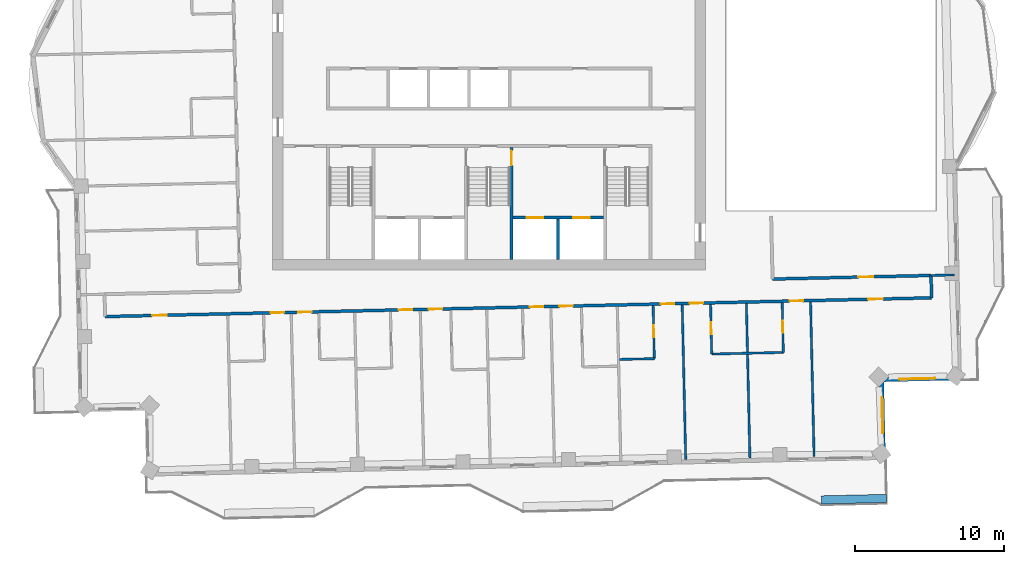
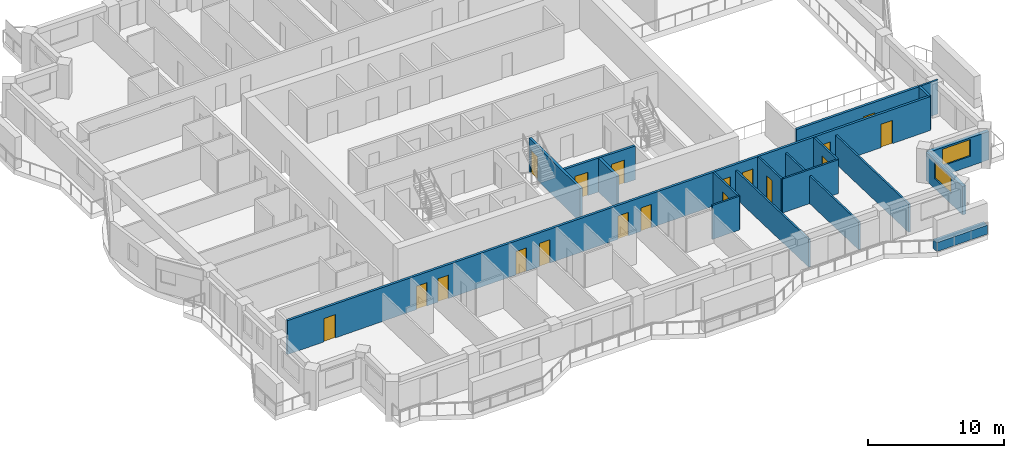
# One storey, part 10 of 18: 18 doors, 18 walls, 2 windows, 20 openings.
"""IFC4 building model written with IfcOpenShell, lengths in metres."""

from ifc_helpers import new_model, si_unit, direction, frame, frame_2d, origin, place, context, subcontext, project, spatial, rectangle, extrude, material, layer, layer_set, type_object, element, fill, save


model = new_model("IFC4")

# Units and contexts
model_context = context("Model", 3, precision=1e-05, world=origin(), true_north=direction((0.0, 1.0)))
body_context = subcontext(model_context, "Body", "Model", "MODEL_VIEW")
ifc_project = project(units=[si_unit("LENGTHUNIT", "METRE"), si_unit("AREAUNIT", "SQUARE_METRE"), si_unit("VOLUMEUNIT", "CUBIC_METRE"), si_unit("PLANEANGLEUNIT", "RADIAN"), si_unit("MASSUNIT", "GRAM", prefix="KILO")], contexts=[model_context])

# Site, building, storey
site_placement = place(None, origin())
site = spatial("IfcSite", under=ifc_project, at=site_placement, CompositionType="ELEMENT")
building_placement = place(site_placement, origin())
building = spatial("IfcBuilding", under=site, at=building_placement, Name="Mangrove Gate Tower", CompositionType="ELEMENT")
storey_placement = place(building_placement, frame((0.0, 0.0, 287.10009765625)))
storey = spatial("IfcBuildingStorey", under=building, at=storey_placement, Name="L73", CompositionType="ELEMENT", Elevation=287.10009765625)

# Wall, openings, doors
ifc_material_1 = material(Name="Concrete C50/60", Category="concrete")
ifc_layer_1 = layer(ifc_material_1, 0.199951171875)
ifc_layer_set_1 = layer_set([ifc_layer_1], Name="Core shaft wall 200 C50/60")
wall_type_1 = type_object("IfcWallType", Name="Core shaft wall 200 C50/60", PredefinedType="SHEAR", material=ifc_layer_set_1)
wall_1_placement = place(storey_placement, frame((1.60009765625, -8.0, 0.0), z_axis=(0.0, 0.0, 1.0), x_axis=(1.0, 0.0, 0.0)))
wall_1 = element("IfcWall", 1, at=wall_1_placement, inside=storey, type_object=wall_type_1, Name="WALL-L73-CORE-17", PredefinedType="SHEAR", context=body_context, shape_type="SweptSolid", body=[
    extrude(rectangle(XDim=6.0498046875, YDim=0.199951171875, at=frame_2d((3.02490234375, 0.0))), origin(), (0.0, 0.0, 1.0), 3.0498046875),
])
opening_1_placement = place(wall_1_placement, frame((0.91259765625, 0.0, 0.0)))
opening_1 = element("IfcOpeningElement", 2, at=opening_1_placement, cuts=wall_1, Name="Opening LD", PredefinedType="OPENING", context=body_context, shape_type="SweptSolid", body=[
    extrude(rectangle(XDim=1.10009765625, YDim=2.10009765625, at=frame_2d((0.550048828125, 1.050048828125))), frame((0.0, 0.10986328125, 0.0), z_axis=(0.0, -1.0, 0.0), x_axis=(1.0, 0.0, 0.0)), (0.0, 0.0, 1.0), 0.219970703125),
])
opening_2_placement = place(wall_1_placement, frame((4.03759765625, 0.0, 0.0)))
opening_2 = element("IfcOpeningElement", 3, at=opening_2_placement, cuts=wall_1, Name="Opening LD", PredefinedType="OPENING", context=body_context, shape_type="SweptSolid", body=[
    extrude(rectangle(XDim=1.10009765625, YDim=2.10009765625, at=frame_2d((0.550048828125, 1.050048828125))), frame((0.0, 0.10986328125, 0.0), z_axis=(0.0, -1.0, 0.0), x_axis=(1.0, 0.0, 0.0)), (0.0, 0.0, 1.0), 0.219970703125),
])
ifc_material_2 = material(Name="Stainless steel 316", Category="steel")
door_type_1 = type_object("IfcDoorType", Name="Lift landing door 1100x2100", OperationType="SLIDING_TO_LEFT", PredefinedType="DOOR", material=ifc_material_2)
door_1_placement = place(opening_1_placement, origin())
door_1 = element("IfcDoor", 4, at=door_1_placement, inside=storey, type_object=door_type_1, Name="Landing door LD FFL1", OperationType="SLIDING_TO_LEFT", OverallHeight=2.10009765625, OverallWidth=1.10009765625, PredefinedType="DOOR", context=body_context, shape_type="SweptSolid", body=[
    extrude(rectangle(XDim=1.10009765625, YDim=2.10009765625, at=frame_2d((0.550048828125, 1.050048828125))), frame((0.0, 0.02490234375, 0.0), z_axis=(0.0, -1.0, 0.0), x_axis=(1.0, 0.0, 0.0)), (0.0, 0.0, 1.0), 0.050048828125),
])
fill(opening_1, door_1)
door_2_placement = place(opening_2_placement, origin())
door_2 = element("IfcDoor", 5, at=door_2_placement, inside=storey, type_object=door_type_1, Name="Landing door LD FFL2", OperationType="SLIDING_TO_LEFT", OverallHeight=2.10009765625, OverallWidth=1.10009765625, PredefinedType="DOOR", context=body_context, shape_type="SweptSolid", body=[
    extrude(rectangle(XDim=1.10009765625, YDim=2.10009765625, at=frame_2d((0.550048828125, 1.050048828125))), frame((0.0, 0.02490234375, 0.0), z_axis=(0.0, -1.0, 0.0), x_axis=(1.0, 0.0, 0.0)), (0.0, 0.0, 1.0), 0.050048828125),
])
fill(opening_2, door_2)

# Wall
wall_2_placement = place(storey_placement, frame((4.625, -10.800048828125, 0.0), z_axis=(0.0, 0.0, 1.0), x_axis=(0.0, 1.0, 0.0)))
element("IfcWall", 6, at=wall_2_placement, inside=storey, type_object=wall_type_1, Name="WALL-L73-CORE-18", PredefinedType="SHEAR", context=body_context, shape_type="SweptSolid", body=[
    extrude(rectangle(XDim=2.699951171875, YDim=0.199951171875, at=frame_2d((1.35009765625, 0.0))), origin(), (0.0, 0.0, 1.0), 3.0498046875),
])

# Wall, opening, door
ifc_material_3 = material(Name="Concrete C50/60", Category="concrete")
ifc_layer_2 = layer(ifc_material_3, 0.199951171875)
ifc_layer_set_2 = layer_set([ifc_layer_2], Name="Core stair wall 200 C50/60")
wall_type_2 = type_object("IfcWallType", Name="Core stair wall 200 C50/60", PredefinedType="SHEAR", material=ifc_layer_set_2)
wall_3_placement = place(storey_placement, frame((1.5, -10.800048828125, 0.0), z_axis=(0.0, 0.0, 1.0), x_axis=(0.0, 1.0, 0.0)))
wall_3 = element("IfcWall", 7, at=wall_3_placement, inside=storey, type_object=wall_type_2, Name="WALL-L73-CORE-12", PredefinedType="SHEAR", context=body_context, shape_type="SweptSolid", body=[
    extrude(rectangle(XDim=7.5, YDim=0.199951171875, at=frame_2d((3.75, 0.0))), origin(), (0.0, 0.0, 1.0), 3.0498046875),
])
opening_3_placement = place(wall_3_placement, frame((6.300048828125, 0.0, 0.0)))
opening_3 = element("IfcOpeningElement", 8, at=opening_3_placement, cuts=wall_3, Name="Opening STD10", PredefinedType="OPENING", context=body_context, shape_type="SweptSolid", body=[
    extrude(rectangle(XDim=1.0, YDim=2.10009765625, at=frame_2d((0.5, 1.050048828125))), frame((0.0, 0.10986328125, 0.0), z_axis=(0.0, -1.0, 0.0), x_axis=(1.0, 0.0, 0.0)), (0.0, 0.0, 1.0), 0.219970703125),
])
ifc_material_4 = material(Name="Fire-rated steel door set", Category="steel")
door_type_2 = type_object("IfcDoorType", Name="Stair door FD60 1000x2100", OperationType="SINGLE_SWING_RIGHT", PredefinedType="DOOR", material=ifc_material_4)
door_3_placement = place(opening_3_placement, origin())
door_3 = element("IfcDoor", 9, at=door_3_placement, inside=storey, type_object=door_type_2, Name="Stair door Stair 2 from fire-fighting lobby", OperationType="SINGLE_SWING_RIGHT", OverallHeight=2.10009765625, OverallWidth=1.0, PredefinedType="DOOR", context=body_context, shape_type="SweptSolid", body=[
    extrude(rectangle(XDim=1.0, YDim=2.10009765625, at=frame_2d((0.5, 1.050048828125))), frame((0.0, 0.02490234375, 0.0), z_axis=(0.0, -1.0, 0.0), x_axis=(1.0, 0.0, 0.0)), (0.0, 0.0, 1.0), 0.050048828125),
])
fill(opening_3, door_3)

# Wall, openings, doors
ifc_material_5 = material(Name="Gypsum board on steel stud, EI 60", Category="steel")
ifc_layer_3 = layer(ifc_material_5, 0.199951171875)
ifc_layer_set_3 = layer_set([ifc_layer_3], Name="Corridor wall EI 60")
wall_type_3 = type_object("IfcWallType", Name="Corridor wall EI 60", PredefinedType="PARTITIONING", material=ifc_layer_set_3)
wall_4_placement = place(storey_placement, frame((-25.73095703125, -14.6240234375, 0.0), z_axis=(0.0, 0.0, 1.0), x_axis=(0.999742799525, 0.022678950563, 0.0)))
wall_4 = element("IfcWall", 10, at=wall_4_placement, inside=storey, type_object=wall_type_3, Name="WALL-L73-028", PredefinedType="PARTITIONING", context=body_context, shape_type="SweptSolid", body=[
    extrude(rectangle(XDim=55.38623046875, YDim=0.199951171875, at=frame_2d((27.693115234375, 0.0))), origin(), (0.0, 0.0, 1.0), 3.0498046875),
])
opening_4_placement = place(wall_4_placement, frame((3.14892578125, 0.0, 0.0)))
opening_4 = element("IfcOpeningElement", 11, at=opening_4_placement, cuts=wall_4, Name="Opening AD", PredefinedType="OPENING", context=body_context, shape_type="SweptSolid", body=[
    extrude(rectangle(XDim=1.0, YDim=2.10009765625, at=frame_2d((0.5, 1.050048828125))), frame((0.0, 0.10986328125, 0.0), z_axis=(0.0, -1.0, 0.0), x_axis=(1.0, 0.0, 0.0)), (0.0, 0.0, 1.0), 0.219970703125),
])
opening_5_placement = place(wall_4_placement, frame((11.10009765625, 0.0, 0.0)))
opening_5 = element("IfcOpeningElement", 12, at=opening_5_placement, cuts=wall_4, Name="Opening BD", PredefinedType="OPENING", context=body_context, shape_type="SweptSolid", body=[
    extrude(rectangle(XDim=0.89990234375, YDim=2.10009765625, at=frame_2d((0.449951171875, 1.050048828125))), frame((0.0, 0.10986328125, 0.0), z_axis=(0.0, -1.0, 0.0), x_axis=(1.0, 0.0, 0.0)), (0.0, 0.0, 1.0), 0.219970703125),
])
opening_6_placement = place(wall_4_placement, frame((12.949951171875, 0.0, 0.0)))
opening_6 = element("IfcOpeningElement", 13, at=opening_6_placement, cuts=wall_4, Name="Opening BD", PredefinedType="OPENING", context=body_context, shape_type="SweptSolid", body=[
    extrude(rectangle(XDim=0.89990234375, YDim=2.10009765625, at=frame_2d((0.449951171875, 1.050048828125))), frame((0.0, 0.10986328125, 0.0), z_axis=(0.0, -1.0, 0.0), x_axis=(1.0, 0.0, 0.0)), (0.0, 0.0, 1.0), 0.219970703125),
])
opening_7_placement = place(wall_4_placement, frame((19.675048828125, 0.0, 0.0)))
opening_7 = element("IfcOpeningElement", 14, at=opening_7_placement, cuts=wall_4, Name="Opening BD", PredefinedType="OPENING", context=body_context, shape_type="SweptSolid", body=[
    extrude(rectangle(XDim=0.89990234375, YDim=2.10009765625, at=frame_2d((0.449951171875, 1.050048828125))), frame((0.0, 0.10986328125, 0.0), z_axis=(0.0, -1.0, 0.0), x_axis=(1.0, 0.0, 0.0)), (0.0, 0.0, 1.0), 0.219970703125),
])
opening_8_placement = place(wall_4_placement, frame((21.699951171875, 0.0, 0.0)))
opening_8 = element("IfcOpeningElement", 15, at=opening_8_placement, cuts=wall_4, Name="Opening BD", PredefinedType="OPENING", context=body_context, shape_type="SweptSolid", body=[
    extrude(rectangle(XDim=0.89990234375, YDim=2.10009765625, at=frame_2d((0.449951171875, 1.050048828125))), frame((0.0, 0.10986328125, 0.0), z_axis=(0.0, -1.0, 0.0), x_axis=(1.0, 0.0, 0.0)), (0.0, 0.0, 1.0), 0.219970703125),
])
opening_9_placement = place(wall_4_placement, frame((28.47509765625, 0.0, 0.0)))
opening_9 = element("IfcOpeningElement", 16, at=opening_9_placement, cuts=wall_4, Name="Opening BD", PredefinedType="OPENING", context=body_context, shape_type="SweptSolid", body=[
    extrude(rectangle(XDim=0.89990234375, YDim=2.10009765625, at=frame_2d((0.449951171875, 1.050048828125))), frame((0.0, 0.10986328125, 0.0), z_axis=(0.0, -1.0, 0.0), x_axis=(1.0, 0.0, 0.0)), (0.0, 0.0, 1.0), 0.219970703125),
])
opening_10_placement = place(wall_4_placement, frame((30.449951171875, 0.0, 0.0)))
opening_10 = element("IfcOpeningElement", 17, at=opening_10_placement, cuts=wall_4, Name="Opening BD", PredefinedType="OPENING", context=body_context, shape_type="SweptSolid", body=[
    extrude(rectangle(XDim=0.89990234375, YDim=2.10009765625, at=frame_2d((0.449951171875, 1.050048828125))), frame((0.0, 0.10986328125, 0.0), z_axis=(0.0, -1.0, 0.0), x_axis=(1.0, 0.0, 0.0)), (0.0, 0.0, 1.0), 0.219970703125),
])
opening_11_placement = place(wall_4_placement, frame((37.25, 0.0, 0.0)))
opening_11 = element("IfcOpeningElement", 18, at=opening_11_placement, cuts=wall_4, Name="Opening BD", PredefinedType="OPENING", context=body_context, shape_type="SweptSolid", body=[
    extrude(rectangle(XDim=0.89990234375, YDim=2.10009765625, at=frame_2d((0.449951171875, 1.050048828125))), frame((0.0, 0.10986328125, 0.0), z_axis=(0.0, -1.0, 0.0), x_axis=(1.0, 0.0, 0.0)), (0.0, 0.0, 1.0), 0.219970703125),
])
opening_12_placement = place(wall_4_placement, frame((39.175048828125, 0.0, 0.0)))
opening_12 = element("IfcOpeningElement", 19, at=opening_12_placement, cuts=wall_4, Name="Opening BD", PredefinedType="OPENING", context=body_context, shape_type="SweptSolid", body=[
    extrude(rectangle(XDim=0.89990234375, YDim=2.10009765625, at=frame_2d((0.449951171875, 1.050048828125))), frame((0.0, 0.10986328125, 0.0), z_axis=(0.0, -1.0, 0.0), x_axis=(1.0, 0.0, 0.0)), (0.0, 0.0, 1.0), 0.219970703125),
])
opening_13_placement = place(wall_4_placement, frame((45.875, 0.0, 0.0)))
opening_13 = element("IfcOpeningElement", 20, at=opening_13_placement, cuts=wall_4, Name="Opening BD", PredefinedType="OPENING", context=body_context, shape_type="SweptSolid", body=[
    extrude(rectangle(XDim=0.89990234375, YDim=2.10009765625, at=frame_2d((0.449951171875, 1.050048828125))), frame((0.0, 0.10986328125, 0.0), z_axis=(0.0, -1.0, 0.0), x_axis=(1.0, 0.0, 0.0)), (0.0, 0.0, 1.0), 0.219970703125),
])
opening_14_placement = place(wall_4_placement, frame((51.126953125, 0.0, 0.0)))
opening_14 = element("IfcOpeningElement", 21, at=opening_14_placement, cuts=wall_4, Name="Opening AD", PredefinedType="OPENING", context=body_context, shape_type="SweptSolid", body=[
    extrude(rectangle(XDim=1.0, YDim=2.10009765625, at=frame_2d((0.5, 1.050048828125))), frame((0.0, 0.10986328125, 0.0), z_axis=(0.0, -1.0, 0.0), x_axis=(1.0, 0.0, 0.0)), (0.0, 0.0, 1.0), 0.219970703125),
])
ifc_material_6 = material(Name="Timber door leaf", Category="wood")
door_type_3 = type_object("IfcDoorType", Name="Amenity door 1000", OperationType="SINGLE_SWING_LEFT", PredefinedType="DOOR", material=ifc_material_6)
door_4_placement = place(opening_4_placement, origin())
door_4 = element("IfcDoor", 22, at=door_4_placement, inside=storey, type_object=door_type_3, Name="DOOR-L73-LNG-c1a", OperationType="SINGLE_SWING_LEFT", OverallHeight=2.10009765625, OverallWidth=1.0, PredefinedType="DOOR", context=body_context, shape_type="SweptSolid", body=[
    extrude(rectangle(XDim=1.0, YDim=2.10009765625, at=frame_2d((0.5, 1.050048828125))), frame((0.0, 0.02490234375, 0.0), z_axis=(0.0, -1.0, 0.0), x_axis=(1.0, 0.0, 0.0)), (0.0, 0.0, 1.0), 0.050048828125),
])
fill(opening_4, door_4)
door_5_placement = place(opening_14_placement, origin())
door_5 = element("IfcDoor", 23, at=door_5_placement, inside=storey, type_object=door_type_3, Name="DOOR-L73-LNG-c3a", OperationType="SINGLE_SWING_RIGHT", OverallHeight=2.10009765625, OverallWidth=1.0, PredefinedType="DOOR", context=body_context, shape_type="SweptSolid", body=[
    extrude(rectangle(XDim=1.0, YDim=2.10009765625, at=frame_2d((0.5, 1.050048828125))), frame((0.0, 0.02490234375, 0.0), z_axis=(0.0, -1.0, 0.0), x_axis=(1.0, 0.0, 0.0)), (0.0, 0.0, 1.0), 0.050048828125),
])
fill(opening_14, door_5)
ifc_material_7 = material(Name="Timber door leaf", Category="wood")
door_type_4 = type_object("IfcDoorType", Name="Bedroom door 900", OperationType="SINGLE_SWING_LEFT", PredefinedType="DOOR", material=ifc_material_7)
door_6_placement = place(opening_5_placement, origin())
door_6 = element("IfcDoor", 24, at=door_6_placement, inside=storey, type_object=door_type_4, Name="DOOR-L73-BED-c101", OperationType="SINGLE_SWING_LEFT", OverallHeight=2.10009765625, OverallWidth=0.89990234375, PredefinedType="DOOR", context=body_context, shape_type="SweptSolid", body=[
    extrude(rectangle(XDim=0.89990234375, YDim=2.10009765625, at=frame_2d((0.449951171875, 1.050048828125))), frame((0.0, 0.02490234375, 0.0), z_axis=(0.0, -1.0, 0.0), x_axis=(1.0, 0.0, 0.0)), (0.0, 0.0, 1.0), 0.050048828125),
])
fill(opening_5, door_6)
door_7_placement = place(opening_6_placement, origin())
door_7 = element("IfcDoor", 25, at=door_7_placement, inside=storey, type_object=door_type_4, Name="DOOR-L73-BED-c102", OperationType="SINGLE_SWING_RIGHT", OverallHeight=2.10009765625, OverallWidth=0.89990234375, PredefinedType="DOOR", context=body_context, shape_type="SweptSolid", body=[
    extrude(rectangle(XDim=0.89990234375, YDim=2.10009765625, at=frame_2d((0.449951171875, 1.050048828125))), frame((0.0, 0.02490234375, 0.0), z_axis=(0.0, -1.0, 0.0), x_axis=(1.0, 0.0, 0.0)), (0.0, 0.0, 1.0), 0.050048828125),
])
fill(opening_6, door_7)
door_8_placement = place(opening_7_placement, origin())
door_8 = element("IfcDoor", 26, at=door_8_placement, inside=storey, type_object=door_type_4, Name="DOOR-L73-BED-c103", OperationType="SINGLE_SWING_LEFT", OverallHeight=2.10009765625, OverallWidth=0.89990234375, PredefinedType="DOOR", context=body_context, shape_type="SweptSolid", body=[
    extrude(rectangle(XDim=0.89990234375, YDim=2.10009765625, at=frame_2d((0.449951171875, 1.050048828125))), frame((0.0, 0.02490234375, 0.0), z_axis=(0.0, -1.0, 0.0), x_axis=(1.0, 0.0, 0.0)), (0.0, 0.0, 1.0), 0.050048828125),
])
fill(opening_7, door_8)
door_9_placement = place(opening_8_placement, origin())
door_9 = element("IfcDoor", 27, at=door_9_placement, inside=storey, type_object=door_type_4, Name="DOOR-L73-BED-c104", OperationType="SINGLE_SWING_RIGHT", OverallHeight=2.10009765625, OverallWidth=0.89990234375, PredefinedType="DOOR", context=body_context, shape_type="SweptSolid", body=[
    extrude(rectangle(XDim=0.89990234375, YDim=2.10009765625, at=frame_2d((0.449951171875, 1.050048828125))), frame((0.0, 0.02490234375, 0.0), z_axis=(0.0, -1.0, 0.0), x_axis=(1.0, 0.0, 0.0)), (0.0, 0.0, 1.0), 0.050048828125),
])
fill(opening_8, door_9)
door_10_placement = place(opening_9_placement, origin())
door_10 = element("IfcDoor", 28, at=door_10_placement, inside=storey, type_object=door_type_4, Name="DOOR-L73-BED-c205", OperationType="SINGLE_SWING_LEFT", OverallHeight=2.10009765625, OverallWidth=0.89990234375, PredefinedType="DOOR", context=body_context, shape_type="SweptSolid", body=[
    extrude(rectangle(XDim=0.89990234375, YDim=2.10009765625, at=frame_2d((0.449951171875, 1.050048828125))), frame((0.0, 0.02490234375, 0.0), z_axis=(0.0, -1.0, 0.0), x_axis=(1.0, 0.0, 0.0)), (0.0, 0.0, 1.0), 0.050048828125),
])
fill(opening_9, door_10)
door_11_placement = place(opening_10_placement, origin())
door_11 = element("IfcDoor", 29, at=door_11_placement, inside=storey, type_object=door_type_4, Name="DOOR-L73-BED-c206", OperationType="SINGLE_SWING_RIGHT", OverallHeight=2.10009765625, OverallWidth=0.89990234375, PredefinedType="DOOR", context=body_context, shape_type="SweptSolid", body=[
    extrude(rectangle(XDim=0.89990234375, YDim=2.10009765625, at=frame_2d((0.449951171875, 1.050048828125))), frame((0.0, 0.02490234375, 0.0), z_axis=(0.0, -1.0, 0.0), x_axis=(1.0, 0.0, 0.0)), (0.0, 0.0, 1.0), 0.050048828125),
])
fill(opening_10, door_11)
door_12_placement = place(opening_11_placement, origin())
door_12 = element("IfcDoor", 30, at=door_12_placement, inside=storey, type_object=door_type_4, Name="DOOR-L73-BED-c207", OperationType="SINGLE_SWING_LEFT", OverallHeight=2.10009765625, OverallWidth=0.89990234375, PredefinedType="DOOR", context=body_context, shape_type="SweptSolid", body=[
    extrude(rectangle(XDim=0.89990234375, YDim=2.10009765625, at=frame_2d((0.449951171875, 1.050048828125))), frame((0.0, 0.02490234375, 0.0), z_axis=(0.0, -1.0, 0.0), x_axis=(1.0, 0.0, 0.0)), (0.0, 0.0, 1.0), 0.050048828125),
])
fill(opening_11, door_12)
door_13_placement = place(opening_12_placement, origin())
door_13 = element("IfcDoor", 31, at=door_13_placement, inside=storey, type_object=door_type_4, Name="DOOR-L73-BED-c208", OperationType="SINGLE_SWING_RIGHT", OverallHeight=2.10009765625, OverallWidth=0.89990234375, PredefinedType="DOOR", context=body_context, shape_type="SweptSolid", body=[
    extrude(rectangle(XDim=0.89990234375, YDim=2.10009765625, at=frame_2d((0.449951171875, 1.050048828125))), frame((0.0, 0.02490234375, 0.0), z_axis=(0.0, -1.0, 0.0), x_axis=(1.0, 0.0, 0.0)), (0.0, 0.0, 1.0), 0.050048828125),
])
fill(opening_12, door_13)
door_14_placement = place(opening_13_placement, origin())
door_14 = element("IfcDoor", 32, at=door_14_placement, inside=storey, type_object=door_type_4, Name="DOOR-L73-BED-c309", OperationType="SINGLE_SWING_LEFT", OverallHeight=2.10009765625, OverallWidth=0.89990234375, PredefinedType="DOOR", context=body_context, shape_type="SweptSolid", body=[
    extrude(rectangle(XDim=0.89990234375, YDim=2.10009765625, at=frame_2d((0.449951171875, 1.050048828125))), frame((0.0, 0.02490234375, 0.0), z_axis=(0.0, -1.0, 0.0), x_axis=(1.0, 0.0, 0.0)), (0.0, 0.0, 1.0), 0.050048828125),
])
fill(opening_13, door_14)

# Wall
wall_5_placement = place(storey_placement, frame((29.637939453125, -13.367919921875, 0.0), z_axis=(0.0, 0.0, 1.0), x_axis=(-0.022617910375, 0.999744182344, 0.0)))
element("IfcWall", 33, at=wall_5_placement, inside=storey, type_object=wall_type_3, Name="WALL-L73-030", PredefinedType="PARTITIONING", context=body_context, shape_type="SweptSolid", body=[
    extrude(rectangle(XDim=1.50048828125, YDim=0.199951171875, at=frame_2d((0.750244140625, 0.0))), origin(), (0.0, 0.0, 1.0), 3.0498046875),
])

# Wall, opening, door
wall_6_placement = place(storey_placement, frame((18.985107421875, -12.10888671875, 0.0), z_axis=(0.0, 0.0, 1.0), x_axis=(0.999742771882, 0.022680169073, 0.0)))
wall_6 = element("IfcWall", 34, at=wall_6_placement, inside=storey, type_object=wall_type_3, Name="WALL-L73-034", PredefinedType="PARTITIONING", context=body_context, shape_type="SweptSolid", body=[
    extrude(rectangle(XDim=10.62451171875, YDim=0.199951171875, at=frame_2d((5.312255859375, 0.0))), origin(), (0.0, 0.0, 1.0), 3.0498046875),
])
opening_15_placement = place(wall_6_placement, frame((5.75, 0.0, 0.0)))
opening_15 = element("IfcOpeningElement", 35, at=opening_15_placement, cuts=wall_6, Name="Opening AD", PredefinedType="OPENING", context=body_context, shape_type="SweptSolid", body=[
    extrude(rectangle(XDim=1.0, YDim=2.10009765625, at=frame_2d((0.5, 1.050048828125))), frame((0.0, 0.10986328125, 0.0), z_axis=(0.0, -1.0, 0.0), x_axis=(1.0, 0.0, 0.0)), (0.0, 0.0, 1.0), 0.219970703125),
])
door_15_placement = place(opening_15_placement, origin())
door_15 = element("IfcDoor", 36, at=door_15_placement, inside=storey, type_object=door_type_3, Name="DOOR-L73-LNG-c3b", OperationType="SINGLE_SWING_LEFT", OverallHeight=2.10009765625, OverallWidth=1.0, PredefinedType="DOOR", context=body_context, shape_type="SweptSolid", body=[
    extrude(rectangle(XDim=1.0, YDim=2.10009765625, at=frame_2d((0.5, 1.050048828125))), frame((0.0, 0.02490234375, 0.0), z_axis=(0.0, -1.0, 0.0), x_axis=(1.0, 0.0, 0.0)), (0.0, 0.0, 1.0), 0.050048828125),
])
fill(opening_15, door_15)

# Wall, opening, window
ifc_material_8 = material(Name="Limestone", Category="masonry")
ifc_layer_4 = layer(ifc_material_8, 0.0400390625, Name="Limestone cladding")
ifc_material_9 = material(Name="Ventilated air gap")
ifc_layer_5 = layer(ifc_material_9, 0.0400390625, Name="Ventilated cavity")
ifc_material_10 = material(Name="Mineral wool insulation")
ifc_layer_6 = layer(ifc_material_10, 0.06005859375, Name="Insulation")
ifc_material_11 = material(Name="Breather membrane")
ifc_layer_7 = layer(ifc_material_11, 0.001953125, Name="Breather membrane")
ifc_material_12 = material(Name="Concrete C20/25 blockwork", Category="masonry")
ifc_layer_8 = layer(ifc_material_12, 0.14990234375, Name="Blockwork backing wall")
ifc_material_13 = material(Name="Gypsum plaster")
ifc_layer_9 = layer(ifc_material_13, 0.008056640625, Name="Internal plaster")
ifc_layer_set_4 = layer_set([ifc_layer_4, ifc_layer_5, ifc_layer_6, ifc_layer_7, ifc_layer_8, ifc_layer_9], Name="External wall 300 limestone cladding")
wall_type_4 = type_object("IfcWallType", Name="External wall 300 limestone cladding", PredefinedType="SOLIDWALL", material=ifc_layer_set_4)
wall_7_placement = place(storey_placement, frame((26.406982421875, -24.0439453125, 0.0), z_axis=(0.0, 0.0, 1.0), x_axis=(-0.022675548694, 0.99974287669, 0.0)))
wall_7 = element("IfcWall", 37, at=wall_7_placement, inside=storey, type_object=wall_type_4, Name="WALL-L73-E14", PredefinedType="SOLIDWALL", context=body_context, shape_type="SweptSolid", body=[
    extrude(rectangle(XDim=5.2001953125, YDim=0.300048828125, at=frame_2d((2.60009765625, 0.0))), origin(), (0.0, 0.0, 1.0), 2.5498046875),
])
opening_16_placement = place(wall_7_placement, frame((1.60498046875, 0.0, 0.89990234375)))
opening_16 = element("IfcOpeningElement", 38, at=opening_16_placement, cuts=wall_7, Name="Opening W2", PredefinedType="OPENING", context=body_context, shape_type="SweptSolid", body=[
    extrude(rectangle(XDim=2.39990234375, YDim=1.5, at=frame_2d((1.199951171875, 0.75))), frame((0.0, 0.159912109375, 0.0), z_axis=(0.0, -1.0, 0.0), x_axis=(1.0, 0.0, 0.0)), (0.0, 0.0, 1.0), 0.320068359375),
])
ifc_material_14 = material(Name="Aluminium frame with double-glazed low-e glass", Category="aluminium")
window_type = type_object("IfcWindowType", Name="Corner room window 2400x1500", PartitioningType="DOUBLE_PANEL_VERTICAL", PredefinedType="WINDOW", material=ifc_material_14)
window_1_placement = place(opening_16_placement, origin())
window_1 = element("IfcWindow", 39, at=window_1_placement, inside=storey, type_object=window_type, Name="WIN-L73-E14-1", OverallHeight=1.5, OverallWidth=2.39990234375, PartitioningType="DOUBLE_PANEL_VERTICAL", PredefinedType="WINDOW", context=body_context, shape_type="SweptSolid", body=[
    extrude(rectangle(XDim=2.39990234375, YDim=1.5, at=frame_2d((1.199951171875, 0.75))), frame((0.0, 0.030029296875, 0.0), z_axis=(0.0, -1.0, 0.0), x_axis=(1.0, 0.0, 0.0)), (0.0, 0.0, 1.0), 0.06005859375),
])
fill(opening_16, window_1)

wall_8_placement = place(storey_placement, frame((26.2890625, -18.844970703125, 0.0), z_axis=(0.0, 0.0, 1.0), x_axis=(0.99974287669, 0.022675548694, 0.0)))
wall_8 = element("IfcWall", 40, at=wall_8_placement, inside=storey, type_object=wall_type_4, Name="WALL-L73-S15", PredefinedType="SOLIDWALL", context=body_context, shape_type="SweptSolid", body=[
    extrude(rectangle(XDim=5.2001953125, YDim=0.300048828125, at=frame_2d((2.60009765625, 0.0))), origin(), (0.0, 0.0, 1.0), 2.5498046875),
])
opening_17_placement = place(wall_8_placement, frame((1.194091796875, 0.0, 0.89990234375)))
opening_17 = element("IfcOpeningElement", 41, at=opening_17_placement, cuts=wall_8, Name="Opening W2", PredefinedType="OPENING", context=body_context, shape_type="SweptSolid", body=[
    extrude(rectangle(XDim=2.39990234375, YDim=1.5, at=frame_2d((1.199951171875, 0.75))), frame((0.0, 0.159912109375, 0.0), z_axis=(0.0, -1.0, 0.0), x_axis=(1.0, 0.0, 0.0)), (0.0, 0.0, 1.0), 0.320068359375),
])
window_2_placement = place(opening_17_placement, origin())
window_2 = element("IfcWindow", 42, at=window_2_placement, inside=storey, type_object=window_type, Name="WIN-L73-S15-1", OverallHeight=1.5, OverallWidth=2.39990234375, PartitioningType="DOUBLE_PANEL_VERTICAL", PredefinedType="WINDOW", context=body_context, shape_type="SweptSolid", body=[
    extrude(rectangle(XDim=2.39990234375, YDim=1.5, at=frame_2d((1.199951171875, 0.75))), frame((0.0, 0.030029296875, 0.0), z_axis=(0.0, -1.0, 0.0), x_axis=(1.0, 0.0, 0.0)), (0.0, 0.0, 1.0), 0.06005859375),
])
fill(opening_17, window_2)

# Walls
ifc_material_15 = material(Name="Gypsum board on steel stud, EI 60", Category="steel")
ifc_layer_10 = layer(ifc_material_15, 0.14990234375)
ifc_layer_set_5 = layer_set([ifc_layer_10], Name="Party wall 150 EI 60")
wall_type_5 = type_object("IfcWallType", Name="Party wall 150 EI 60", PredefinedType="PARTITIONING", material=ifc_layer_set_5)
wall_9_placement = place(storey_placement, frame((13.1689453125, -24.194091796875, 0.0), z_axis=(0.0, 0.0, 1.0), x_axis=(-0.022692470342, 0.99974249274, 0.0)))
element("IfcWall", 43, at=wall_9_placement, inside=storey, type_object=wall_type_5, Name="WALL-L73-008", PredefinedType="PARTITIONING", context=body_context, shape_type="SweptSolid", body=[
    extrude(rectangle(XDim=10.349853515625, YDim=0.14990234375, at=frame_2d((5.1748046875, 0.0))), origin(), (0.0, 0.0, 1.0), 2.5),
])
wall_10_placement = place(storey_placement, frame((17.468017578125, -24.096923828125, 0.0), z_axis=(0.0, 0.0, 1.0), x_axis=(-0.022714440015, 0.999741993824, 0.0)))
element("IfcWall", 44, at=wall_10_placement, inside=storey, type_object=wall_type_5, Name="WALL-L73-009", PredefinedType="PARTITIONING", context=body_context, shape_type="SweptSolid", body=[
    extrude(rectangle(XDim=10.3505859375, YDim=0.14990234375, at=frame_2d((5.17529296875, 0.0))), origin(), (0.0, 0.0, 1.0), 2.5),
])
wall_11_placement = place(storey_placement, frame((21.76708984375, -23.9990234375, 0.0), z_axis=(0.0, 0.0, 1.0), x_axis=(-0.022716582742, 0.999741945138, 0.0)))
element("IfcWall", 45, at=wall_11_placement, inside=storey, type_object=wall_type_5, Name="WALL-L73-010", PredefinedType="PARTITIONING", context=body_context, shape_type="SweptSolid", body=[
    extrude(rectangle(XDim=10.349609375, YDim=0.14990234375, at=frame_2d((5.1748046875, 0.0))), origin(), (0.0, 0.0, 1.0), 2.5498046875),
])
wall_12_placement = place(storey_placement, frame((8.742919921875, -17.492919921875, 0.0), z_axis=(0.0, 0.0, 1.0), x_axis=(0.99974053329, 0.022778632478, 0.0)))
element("IfcWall", 46, at=wall_12_placement, inside=storey, type_object=wall_type_5, Name="WALL-L73-017", PredefinedType="PARTITIONING", context=body_context, shape_type="SweptSolid", body=[
    extrude(rectangle(XDim=2.32568359375, YDim=0.14990234375, at=frame_2d((1.162841796875, 0.0))), origin(), (0.0, 0.0, 1.0), 3.0498046875),
])

# Wall, opening, door
wall_13_placement = place(storey_placement, frame((11.06591796875, -17.43994140625, 0.0), z_axis=(0.0, 0.0, 1.0), x_axis=(-0.022765149847, 0.999740840394, 0.0)))
wall_13 = element("IfcWall", 47, at=wall_13_placement, inside=storey, type_object=wall_type_5, Name="WALL-L73-018", PredefinedType="PARTITIONING", context=body_context, shape_type="SweptSolid", body=[
    extrude(rectangle(XDim=3.5498046875, YDim=0.14990234375, at=frame_2d((1.77490234375, 0.0))), origin(), (0.0, 0.0, 1.0), 3.0498046875),
])
opening_18_placement = place(wall_13_placement, frame((1.425048828125, 0.0, 0.0)))
opening_18 = element("IfcOpeningElement", 48, at=opening_18_placement, cuts=wall_13, Name="Opening ED", PredefinedType="OPENING", context=body_context, shape_type="SweptSolid", body=[
    extrude(rectangle(XDim=0.800048828125, YDim=2.10009765625, at=frame_2d((0.39990234375, 1.050048828125))), frame((0.0, 0.0849609375, 0.0), z_axis=(0.0, -1.0, 0.0), x_axis=(1.0, 0.0, 0.0)), (0.0, 0.0, 1.0), 0.169921875),
])
ifc_material_16 = material(Name="Timber door leaf", Category="wood")
door_type_5 = type_object("IfcDoorType", Name="En-suite door 800", OperationType="SINGLE_SWING_LEFT", PredefinedType="DOOR", material=ifc_material_16)
door_16_placement = place(opening_18_placement, origin())
door_16 = element("IfcDoor", 49, at=door_16_placement, inside=storey, type_object=door_type_5, Name="DOOR-L73-ENS-c207", OperationType="SINGLE_SWING_LEFT", OverallHeight=2.10009765625, OverallWidth=0.800048828125, PredefinedType="DOOR", context=body_context, shape_type="SweptSolid", body=[
    extrude(rectangle(XDim=0.800048828125, YDim=2.10009765625, at=frame_2d((0.39990234375, 1.050048828125))), frame((0.0, 0.02490234375, 0.0), z_axis=(0.0, -1.0, 0.0), x_axis=(1.0, 0.0, 0.0)), (0.0, 0.0, 1.0), 0.050048828125),
])
fill(opening_18, door_16)

wall_14_placement = place(storey_placement, frame((14.909912109375, -17.133056640625, 0.0), z_axis=(0.0, 0.0, 1.0), x_axis=(-0.022801345323, 0.99974001553, 0.0)))
wall_14 = element("IfcWall", 50, at=wall_14_placement, inside=storey, type_object=wall_type_5, Name="WALL-L73-021", PredefinedType="PARTITIONING", context=body_context, shape_type="SweptSolid", body=[
    extrude(rectangle(XDim=3.330078125, YDim=0.14990234375, at=frame_2d((1.6650390625, 0.0))), origin(), (0.0, 0.0, 1.0), 3.0498046875),
])
opening_19_placement = place(wall_14_placement, frame((1.31494140625, 0.0, 0.0)))
opening_19 = element("IfcOpeningElement", 51, at=opening_19_placement, cuts=wall_14, Name="Opening ED", PredefinedType="OPENING", context=body_context, shape_type="SweptSolid", body=[
    extrude(rectangle(XDim=0.800048828125, YDim=2.10009765625, at=frame_2d((0.39990234375, 1.050048828125))), frame((0.0, 0.0849609375, 0.0), z_axis=(0.0, -1.0, 0.0), x_axis=(1.0, 0.0, 0.0)), (0.0, 0.0, 1.0), 0.169921875),
])
door_17_placement = place(opening_19_placement, origin())
door_17 = element("IfcDoor", 52, at=door_17_placement, inside=storey, type_object=door_type_5, Name="DOOR-L73-ENS-c208", OperationType="SINGLE_SWING_RIGHT", OverallHeight=2.10009765625, OverallWidth=0.800048828125, PredefinedType="DOOR", context=body_context, shape_type="SweptSolid", body=[
    extrude(rectangle(XDim=0.800048828125, YDim=2.10009765625, at=frame_2d((0.39990234375, 1.050048828125))), frame((0.0, 0.02490234375, 0.0), z_axis=(0.0, -1.0, 0.0), x_axis=(1.0, 0.0, 0.0)), (0.0, 0.0, 1.0), 0.050048828125),
])
fill(opening_19, door_17)

# Wall
wall_15_placement = place(storey_placement, frame((14.912109375, -17.133056640625, 0.0), z_axis=(0.0, 0.0, 1.0), x_axis=(0.999741415159, 0.022739894798, 0.0)))
element("IfcWall", 53, at=wall_15_placement, inside=storey, type_object=wall_type_5, Name="WALL-L73-022", PredefinedType="PARTITIONING", context=body_context, shape_type="SweptSolid", body=[
    extrude(rectangle(XDim=4.799072265625, YDim=0.14990234375, at=frame_2d((2.3994140625, 0.0))), origin(), (0.0, 0.0, 1.0), 3.0498046875),
])

# Wall, opening, door
wall_16_placement = place(storey_placement, frame((19.7080078125, -17.02392578125, 0.0), z_axis=(0.0, 0.0, 1.0), x_axis=(-0.022509879905, 0.999746620553, 0.0)))
wall_16 = element("IfcWall", 54, at=wall_16_placement, inside=storey, type_object=wall_type_5, Name="WALL-L73-023", PredefinedType="PARTITIONING", context=body_context, shape_type="SweptSolid", body=[
    extrude(rectangle(XDim=3.32958984375, YDim=0.14990234375, at=frame_2d((1.664794921875, 0.0))), origin(), (0.0, 0.0, 1.0), 3.0498046875),
])
opening_20_placement = place(wall_16_placement, frame((1.31494140625, 0.0, 0.0)))
opening_20 = element("IfcOpeningElement", 55, at=opening_20_placement, cuts=wall_16, Name="Opening ED", PredefinedType="OPENING", context=body_context, shape_type="SweptSolid", body=[
    extrude(rectangle(XDim=0.800048828125, YDim=2.10009765625, at=frame_2d((0.39990234375, 1.050048828125))), frame((0.0, 0.0849609375, 0.0), z_axis=(0.0, -1.0, 0.0), x_axis=(1.0, 0.0, 0.0)), (0.0, 0.0, 1.0), 0.169921875),
])
door_18_placement = place(opening_20_placement, origin())
door_18 = element("IfcDoor", 56, at=door_18_placement, inside=storey, type_object=door_type_5, Name="DOOR-L73-ENS-c309", OperationType="SINGLE_SWING_LEFT", OverallHeight=2.10009765625, OverallWidth=0.800048828125, PredefinedType="DOOR", context=body_context, shape_type="SweptSolid", body=[
    extrude(rectangle(XDim=0.800048828125, YDim=2.10009765625, at=frame_2d((0.39990234375, 1.050048828125))), frame((0.0, 0.02490234375, 0.0), z_axis=(0.0, -1.0, 0.0), x_axis=(1.0, 0.0, 0.0)), (0.0, 0.0, 1.0), 0.050048828125),
])
fill(opening_20, door_18)

# Walls
wall_17_placement = place(storey_placement, frame((29.60302734375, -11.867919921875, 0.0), z_axis=(0.0, 0.0, 1.0), x_axis=(0.999741755729, 0.022724916977, 0.0)))
element("IfcWall", 57, at=wall_17_placement, inside=storey, type_object=wall_type_5, Name="WALL-L73-036", PredefinedType="PARTITIONING", context=body_context, shape_type="SweptSolid", body=[
    extrude(rectangle(XDim=1.579345703125, YDim=0.14990234375, at=frame_2d((0.78955078125, 0.0))), origin(), (0.0, 0.0, 1.0), 3.0498046875),
])
ifc_material_17 = material(Name="Concrete C32/40", Category="concrete")
ifc_layer_11 = layer(ifc_material_17, 0.199951171875, Name="Planter trough wall")
ifc_material_18 = material(Name="Bituminous waterproofing membrane")
ifc_layer_12 = layer(ifc_material_18, 0.0048828125, Name="Waterproofing")
ifc_material_19 = material(Name="Drainage board and gravel")
ifc_layer_13 = layer(ifc_material_19, 0.044921875, Name="Drainage layer")
ifc_material_20 = material(Name="Planting soil")
ifc_layer_14 = layer(ifc_material_20, 0.300048828125, Name="Growing medium")
ifc_layer_set_6 = layer_set([ifc_layer_11, ifc_layer_12, ifc_layer_13, ifc_layer_14], Name="Planter wall 550 C32/40")
wall_type_6 = type_object("IfcWallType", Name="Planter wall 550 C32/40", PredefinedType="USERDEFINED", material=ifc_layer_set_6)
wall_18_placement = place(storey_placement, frame((22.2529296875, -26.904052734375, 0.0), z_axis=(0.0, 0.0, 1.0), x_axis=(0.999742527562, 0.022690936169, 0.0)))
element("IfcWall", 58, at=wall_18_placement, inside=storey, type_object=wall_type_6, Name="PLANTER L73 S1.2", ObjectType="PLANTER", PredefinedType="USERDEFINED", context=body_context, shape_type="SweptSolid", body=[
    extrude(rectangle(XDim=4.368408203125, YDim=0.550048828125, at=frame_2d((2.18408203125, 0.0))), origin(), (0.0, 0.0, 1.0), 0.7998046875),
])

save(model, "model.ifc")
